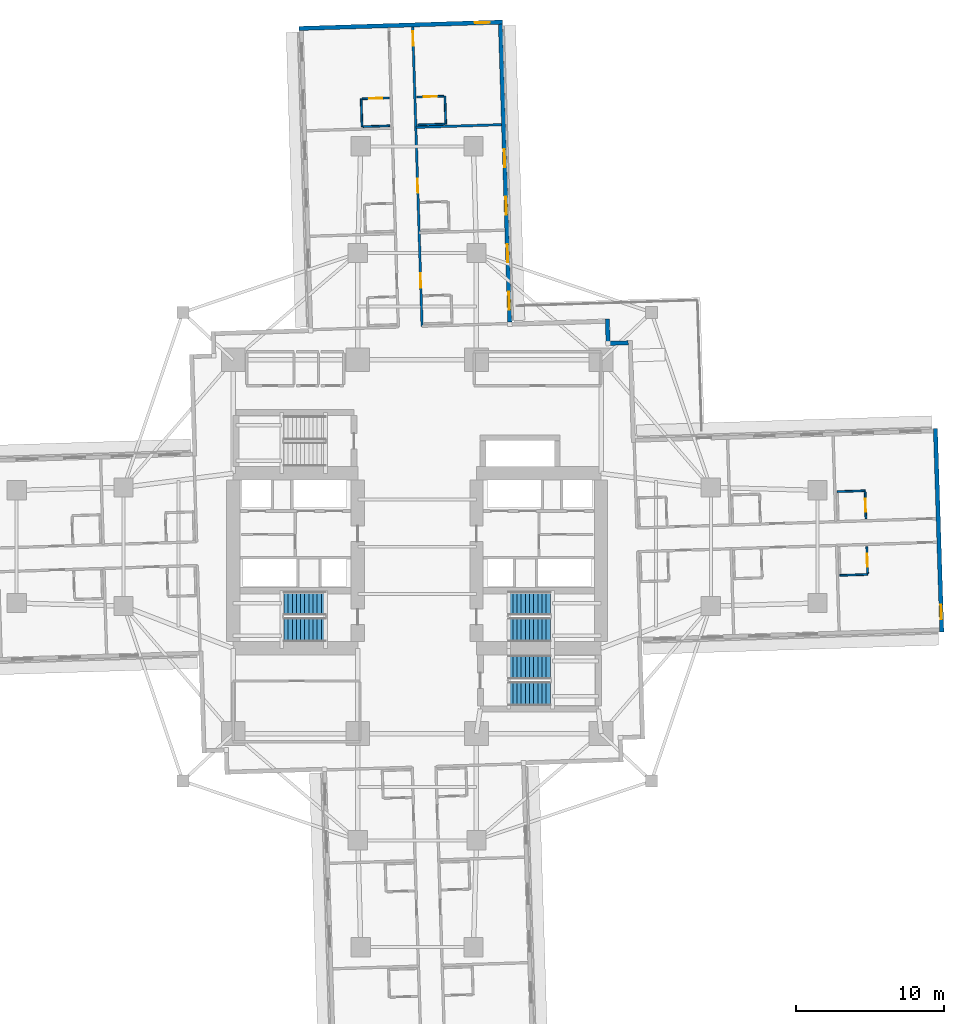
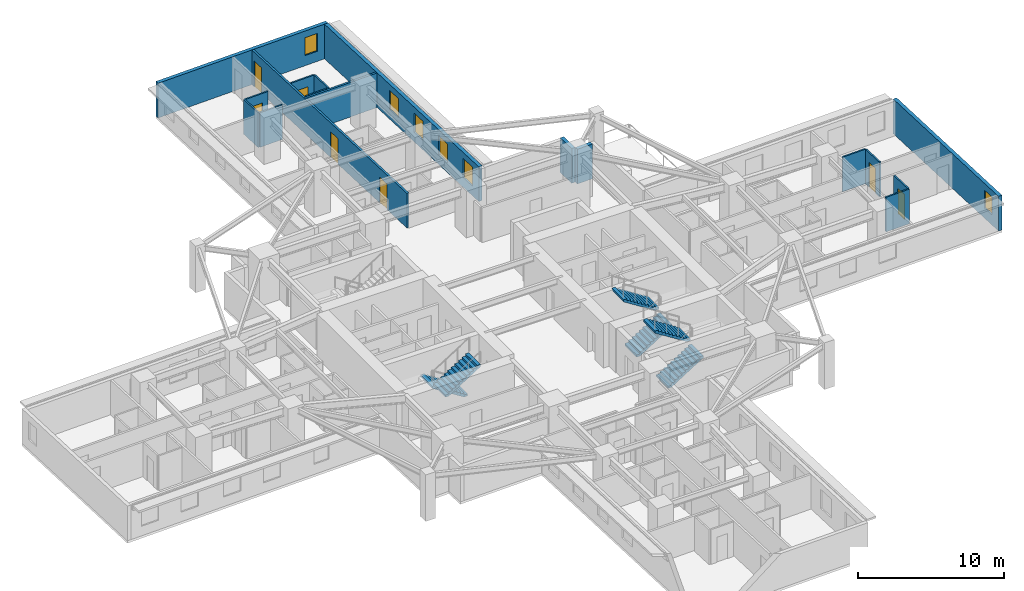
# One storey, part 9 of 15: 17 walls, 7 doors, 6 stair flights, 6 windows, 13 openings, 3 elements without a shape of their own.
"""IFC4 building model written with IfcOpenShell, lengths in metres."""

from ifc_helpers import new_model, si_unit, direction, frame, frame_2d, origin, place, context, subcontext, project, spatial, polyline, rectangle, outline, extrude, material, layer, layer_set, type_object, element, fill, aggregate, save


model = new_model("IFC4")

# Units and contexts
model_context = context("Model", 3, precision=1e-05, world=origin(), true_north=direction((0.0, 1.0)))
body_context = subcontext(model_context, "Body", "Model", "MODEL_VIEW")
ifc_project = project(units=[si_unit("LENGTHUNIT", "METRE"), si_unit("AREAUNIT", "SQUARE_METRE"), si_unit("VOLUMEUNIT", "CUBIC_METRE"), si_unit("PLANEANGLEUNIT", "RADIAN"), si_unit("MASSUNIT", "GRAM", prefix="KILO")], contexts=[model_context])

# Site, building, storey
site_placement = place(None, origin())
site = spatial("IfcSite", under=ifc_project, at=site_placement, CompositionType="ELEMENT")
building_placement = place(site_placement, origin())
building = spatial("IfcBuilding", under=site, at=building_placement, Name="Qingluan Cross Belvedere", CompositionType="ELEMENT")
storey_placement = place(building_placement, frame((0.0, 0.0, 31.5)))
storey = spatial("IfcBuildingStorey", under=building, at=storey_placement, Name="L08", CompositionType="ELEMENT", Elevation=31.5)

# Wall, openings, doors
ifc_material_1 = material(Name="Gypsum plasterboard on steel stud acoustic partition", Category="steel")
ifc_layer_1 = layer(ifc_material_1, 0.159912109375, Name="CorridorPartition_160")
ifc_layer_set_1 = layer_set([ifc_layer_1], Name="Gypsum plasterboard on steel stud acoustic partition")
wall_type_1 = type_object("IfcWallType", Name="CorridorPartition_160", PredefinedType="PARTITIONING", material=ifc_layer_set_1)
wall_1_placement = place(storey_placement, frame((0.333251953125, 14.867919921875, 0.0), z_axis=(0.0, 0.0, 1.0), x_axis=(-0.031416030536, 0.99950639469, 0.0)))
wall_1 = element("IfcWall", 1, at=wall_1_placement, inside=storey, type_object=wall_type_1, Name="Partition L08:N:c0", PredefinedType="PARTITIONING", context=body_context, shape_type="SweptSolid", body=[
    extrude(rectangle(XDim=20.181884765625, YDim=0.159912109375, at=frame_2d((10.0908203125, 0.0))), origin(), (0.0, 0.0, 1.0), 2.89990234375),
])
opening_1_placement = place(wall_1_placement, frame((2.610107421875, 0.0, 0.0)))
opening_1 = element("IfcOpeningElement", 2, at=opening_1_placement, cuts=wall_1, Name="Opening GD-10", PredefinedType="OPENING", context=body_context, shape_type="SweptSolid", body=[
    extrude(rectangle(XDim=0.9599609375, YDim=2.14990234375, at=frame_2d((0.47998046875, 1.074951171875))), frame((0.0, 0.08984375, 0.0), z_axis=(0.0, -1.0, 0.0), x_axis=(1.0, 0.0, 0.0)), (0.0, 0.0, 1.0), 0.179931640625),
])
opening_2_placement = place(wall_1_placement, frame((8.993896484375, 0.0, 0.0)))
opening_2 = element("IfcOpeningElement", 3, at=opening_2_placement, cuts=wall_1, Name="Opening GD-10", PredefinedType="OPENING", context=body_context, shape_type="SweptSolid", body=[
    extrude(rectangle(XDim=0.9599609375, YDim=2.14990234375, at=frame_2d((0.47998046875, 1.074951171875))), frame((0.0, 0.08984375, 0.0), z_axis=(0.0, -1.0, 0.0), x_axis=(1.0, 0.0, 0.0)), (0.0, 0.0, 1.0), 0.179931640625),
])
opening_3_placement = place(wall_1_placement, frame((18.929931640625, 0.0, 0.0)))
opening_3 = element("IfcOpeningElement", 4, at=opening_3_placement, cuts=wall_1, Name="Opening GD-10", PredefinedType="OPENING", context=body_context, shape_type="SweptSolid", body=[
    extrude(rectangle(XDim=0.9599609375, YDim=2.14990234375, at=frame_2d((0.47998046875, 1.074951171875))), frame((0.0, 0.08984375, 0.0), z_axis=(0.0, -1.0, 0.0), x_axis=(1.0, 0.0, 0.0)), (0.0, 0.0, 1.0), 0.179931640625),
])
ifc_material_2 = material(Name="Timber oak fire-rated acoustic guestroom door", Category="wood")
door_type_1 = type_object("IfcDoorType", Name="GuestEntryDoor_FD60", OperationType="NOTDEFINED", PredefinedType="DOOR", material=ifc_material_2)
door_1_placement = place(opening_1_placement, origin())
door_1 = element("IfcDoor", 5, at=door_1_placement, inside=storey, type_object=door_type_1, Name="Guest entry fire door 0813", OperationType="SINGLE_SWING_LEFT", OverallHeight=2.14990234375, OverallWidth=0.9599609375, PredefinedType="DOOR", context=body_context, shape_type="SweptSolid", body=[
    extrude(rectangle(XDim=0.9599609375, YDim=2.14990234375, at=frame_2d((0.47998046875, 1.074951171875))), frame((0.0, 0.02490234375, 0.0), z_axis=(0.0, -1.0, 0.0), x_axis=(1.0, 0.0, 0.0)), (0.0, 0.0, 1.0), 0.050048828125),
])
fill(opening_1, door_1)
door_2_placement = place(opening_2_placement, origin())
door_2 = element("IfcDoor", 6, at=door_2_placement, inside=storey, type_object=door_type_1, Name="Guest entry fire door 0814", OperationType="SINGLE_SWING_LEFT", OverallHeight=2.14990234375, OverallWidth=0.9599609375, PredefinedType="DOOR", context=body_context, shape_type="SweptSolid", body=[
    extrude(rectangle(XDim=0.9599609375, YDim=2.14990234375, at=frame_2d((0.47998046875, 1.074951171875))), frame((0.0, 0.02490234375, 0.0), z_axis=(0.0, -1.0, 0.0), x_axis=(1.0, 0.0, 0.0)), (0.0, 0.0, 1.0), 0.050048828125),
])
fill(opening_2, door_2)
door_3_placement = place(opening_3_placement, origin())
door_3 = element("IfcDoor", 7, at=door_3_placement, inside=storey, type_object=door_type_1, Name="Guest entry fire door 0815", OperationType="SINGLE_SWING_LEFT", OverallHeight=2.14990234375, OverallWidth=0.9599609375, PredefinedType="DOOR", context=body_context, shape_type="SweptSolid", body=[
    extrude(rectangle(XDim=0.9599609375, YDim=2.14990234375, at=frame_2d((0.47998046875, 1.074951171875))), frame((0.0, 0.02490234375, 0.0), z_axis=(0.0, -1.0, 0.0), x_axis=(1.0, 0.0, 0.0)), (0.0, 0.0, 1.0), 0.050048828125),
])
fill(opening_3, door_3)

# Wall
wall_2_placement = place(storey_placement, frame((-0.08837890625, 28.279296875, 0.0), z_axis=(0.0, 0.0, 1.0), x_axis=(0.999507402024, 0.031383965651, 0.0)))
element("IfcWall", 8, at=wall_2_placement, inside=storey, type_object=wall_type_1, Name="Partition L08:N:d0_1", PredefinedType="PARTITIONING", context=body_context, shape_type="SweptSolid", body=[
    extrude(rectangle(XDim=5.772216796875, YDim=0.159912109375, at=frame_2d((2.88623046875, 0.0))), origin(), (0.0, 0.0, 1.0), 2.89990234375),
])

# Wall, opening, door
ifc_material_3 = material(Name="Moisture-resistant gypsum board lining")
ifc_layer_2 = layer(ifc_material_3, 0.1201171875, Name="EnsuiteWetPartition_120")
ifc_layer_set_2 = layer_set([ifc_layer_2], Name="Moisture-resistant gypsum board lining")
wall_type_2 = type_object("IfcWallType", Name="EnsuiteWetPartition_120", PredefinedType="PARTITIONING", material=ifc_layer_set_2)
wall_3_placement = place(storey_placement, frame((30.263427734375, 1.8916015625, 0.0), z_axis=(0.0, 0.0, 1.0), x_axis=(-0.031389704724, 0.999507221803, 0.0)))
wall_3 = element("IfcWall", 9, at=wall_3_placement, inside=storey, type_object=wall_type_2, Name="Partition L08:E:bs0_2", PredefinedType="PARTITIONING", context=body_context, shape_type="SweptSolid", body=[
    extrude(rectangle(XDim=1.820068359375, YDim=0.1201171875, at=frame_2d((0.91015625, 0.0))), origin(), (0.0, 0.0, 1.0), 2.89990234375),
])
opening_4_placement = place(wall_3_placement, frame((0.469970703125, 0.0, 0.0)))
opening_4 = element("IfcOpeningElement", 10, at=opening_4_placement, cuts=wall_3, Name="Opening BD-09", PredefinedType="OPENING", context=body_context, shape_type="SweptSolid", body=[
    extrude(rectangle(XDim=0.8798828125, YDim=2.10009765625, at=frame_2d((0.43994140625, 1.050048828125))), frame((0.0, 0.070068359375, 0.0), z_axis=(0.0, -1.0, 0.0), x_axis=(1.0, 0.0, 0.0)), (0.0, 0.0, 1.0), 0.14013671875),
])
ifc_material_4 = material(Name="Moisture-sealed timber en-suite door", Category="wood")
door_type_2 = type_object("IfcDoorType", Name="BathroomDoor_880", OperationType="NOTDEFINED", PredefinedType="DOOR", material=ifc_material_4)
door_4_placement = place(opening_4_placement, origin())
door_4 = element("IfcDoor", 11, at=door_4_placement, inside=storey, type_object=door_type_2, Name="Bathroom door 0803", OperationType="SINGLE_SWING_RIGHT", OverallHeight=2.10009765625, OverallWidth=0.8798828125, PredefinedType="DOOR", context=body_context, shape_type="SweptSolid", body=[
    extrude(rectangle(XDim=0.8798828125, YDim=2.10009765625, at=frame_2d((0.43994140625, 1.050048828125))), frame((0.0, 0.02490234375, 0.0), z_axis=(0.0, -1.0, 0.0), x_axis=(1.0, 0.0, 0.0)), (0.0, 0.0, 1.0), 0.050048828125),
])
fill(opening_4, door_4)

# Wall
wall_4_placement = place(storey_placement, frame((28.3251953125, 3.716552734375, 0.0), z_axis=(0.0, 0.0, 1.0), x_axis=(0.999506103526, 0.031425292588, 0.0)))
element("IfcWall", 12, at=wall_4_placement, inside=storey, type_object=wall_type_2, Name="Partition L08:E:bn0_2", PredefinedType="PARTITIONING", context=body_context, shape_type="SweptSolid", body=[
    extrude(rectangle(XDim=1.880126953125, YDim=0.1201171875, at=frame_2d((0.93994140625, 0.0))), origin(), (0.0, 0.0, 1.0), 2.89990234375),
])

# Wall, opening, door
wall_5_placement = place(storey_placement, frame((30.379638671875, -1.806640625, 0.0), z_axis=(0.0, 0.0, 1.0), x_axis=(-0.031389704724, 0.999507221803, 0.0)))
wall_5 = element("IfcWall", 13, at=wall_5_placement, inside=storey, type_object=wall_type_2, Name="Partition L08:E:bs1_2", PredefinedType="PARTITIONING", context=body_context, shape_type="SweptSolid", body=[
    extrude(rectangle(XDim=1.820068359375, YDim=0.1201171875, at=frame_2d((0.91015625, 0.0))), origin(), (0.0, 0.0, 1.0), 2.89990234375),
])
opening_5_placement = place(wall_5_placement, frame((0.469970703125, 0.0, 0.0)))
opening_5 = element("IfcOpeningElement", 14, at=opening_5_placement, cuts=wall_5, Name="Opening BD-09", PredefinedType="OPENING", context=body_context, shape_type="SweptSolid", body=[
    extrude(rectangle(XDim=0.8798828125, YDim=2.10009765625, at=frame_2d((0.43994140625, 1.050048828125))), frame((0.0, 0.070068359375, 0.0), z_axis=(0.0, -1.0, 0.0), x_axis=(1.0, 0.0, 0.0)), (0.0, 0.0, 1.0), 0.14013671875),
])
door_5_placement = place(opening_5_placement, origin())
door_5 = element("IfcDoor", 15, at=door_5_placement, inside=storey, type_object=door_type_2, Name="Bathroom door 0806", OperationType="SINGLE_SWING_RIGHT", OverallHeight=2.10009765625, OverallWidth=0.8798828125, PredefinedType="DOOR", context=body_context, shape_type="SweptSolid", body=[
    extrude(rectangle(XDim=0.8798828125, YDim=2.10009765625, at=frame_2d((0.43994140625, 1.050048828125))), frame((0.0, 0.02490234375, 0.0), z_axis=(0.0, -1.0, 0.0), x_axis=(1.0, 0.0, 0.0)), (0.0, 0.0, 1.0), 0.050048828125),
])
fill(opening_5, door_5)

# Wall
wall_6_placement = place(storey_placement, frame((28.502685546875, -1.9306640625, 0.0), z_axis=(0.0, 0.0, 1.0), x_axis=(0.999506103526, 0.031425292588, 0.0)))
element("IfcWall", 16, at=wall_6_placement, inside=storey, type_object=wall_type_2, Name="Partition L08:E:bc1_2", PredefinedType="PARTITIONING", context=body_context, shape_type="SweptSolid", body=[
    extrude(rectangle(XDim=1.880126953125, YDim=0.1201171875, at=frame_2d((0.93994140625, 0.0))), origin(), (0.0, 0.0, 1.0), 2.89990234375),
])

# Wall, opening, door
wall_7_placement = place(storey_placement, frame((-0.012451171875, 30.322509765625, 0.0), z_axis=(0.0, 0.0, 1.0), x_axis=(0.999507221803, 0.031389704724, 0.0)))
wall_7 = element("IfcWall", 17, at=wall_7_placement, inside=storey, type_object=wall_type_2, Name="Partition L08:N:bs0_2", PredefinedType="PARTITIONING", context=body_context, shape_type="SweptSolid", body=[
    extrude(rectangle(XDim=1.820068359375, YDim=0.1201171875, at=frame_2d((0.91015625, 0.0))), origin(), (0.0, 0.0, 1.0), 2.89990234375),
])
opening_6_placement = place(wall_7_placement, frame((0.469970703125, 0.0, 0.0)))
opening_6 = element("IfcOpeningElement", 18, at=opening_6_placement, cuts=wall_7, Name="Opening BD-09", PredefinedType="OPENING", context=body_context, shape_type="SweptSolid", body=[
    extrude(rectangle(XDim=0.8798828125, YDim=2.10009765625, at=frame_2d((0.43994140625, 1.050048828125))), frame((0.0, 0.070068359375, 0.0), z_axis=(0.0, -1.0, 0.0), x_axis=(1.0, 0.0, 0.0)), (0.0, 0.0, 1.0), 0.14013671875),
])
door_6_placement = place(opening_6_placement, origin())
door_6 = element("IfcDoor", 19, at=door_6_placement, inside=storey, type_object=door_type_2, Name="Bathroom door 0815", OperationType="SINGLE_SWING_RIGHT", OverallHeight=2.10009765625, OverallWidth=0.8798828125, PredefinedType="DOOR", context=body_context, shape_type="SweptSolid", body=[
    extrude(rectangle(XDim=0.8798828125, YDim=2.10009765625, at=frame_2d((0.43994140625, 1.050048828125))), frame((0.0, 0.02490234375, 0.0), z_axis=(0.0, -1.0, 0.0), x_axis=(1.0, 0.0, 0.0)), (0.0, 0.0, 1.0), 0.050048828125),
])
fill(opening_6, door_6)

# Walls
wall_8_placement = place(storey_placement, frame((0.046630859375, 28.443603515625, 0.0), z_axis=(0.0, 0.0, 1.0), x_axis=(0.999507221803, 0.031389704724, 0.0)))
element("IfcWall", 20, at=wall_8_placement, inside=storey, type_object=wall_type_2, Name="Partition L08:N:bw0_2", PredefinedType="PARTITIONING", context=body_context, shape_type="SweptSolid", body=[
    extrude(rectangle(XDim=1.820068359375, YDim=0.1201171875, at=frame_2d((0.91015625, 0.0))), origin(), (0.0, 0.0, 1.0), 2.89990234375),
])
wall_9_placement = place(storey_placement, frame((1.9306640625, 28.502685546875, 0.0), z_axis=(0.0, 0.0, 1.0), x_axis=(-0.031425292588, 0.999506103526, 0.0)))
element("IfcWall", 21, at=wall_9_placement, inside=storey, type_object=wall_type_2, Name="Partition L08:N:bn0_2", PredefinedType="PARTITIONING", context=body_context, shape_type="SweptSolid", body=[
    extrude(rectangle(XDim=1.880126953125, YDim=0.1201171875, at=frame_2d((0.93994140625, 0.0))), origin(), (0.0, 0.0, 1.0), 2.89990234375),
])

# Wall, opening, door
wall_10_placement = place(storey_placement, frame((-3.710693359375, 30.206298828125, 0.0), z_axis=(0.0, 0.0, 1.0), x_axis=(0.999507221803, 0.031389704724, 0.0)))
wall_10 = element("IfcWall", 22, at=wall_10_placement, inside=storey, type_object=wall_type_2, Name="Partition L08:N:bs1_2", PredefinedType="PARTITIONING", context=body_context, shape_type="SweptSolid", body=[
    extrude(rectangle(XDim=1.820068359375, YDim=0.1201171875, at=frame_2d((0.91015625, 0.0))), origin(), (0.0, 0.0, 1.0), 2.89990234375),
])
opening_7_placement = place(wall_10_placement, frame((0.469970703125, 0.0, 0.0)))
opening_7 = element("IfcOpeningElement", 23, at=opening_7_placement, cuts=wall_10, Name="Opening BD-09", PredefinedType="OPENING", context=body_context, shape_type="SweptSolid", body=[
    extrude(rectangle(XDim=0.8798828125, YDim=2.10009765625, at=frame_2d((0.43994140625, 1.050048828125))), frame((0.0, 0.070068359375, 0.0), z_axis=(0.0, -1.0, 0.0), x_axis=(1.0, 0.0, 0.0)), (0.0, 0.0, 1.0), 0.14013671875),
])
door_7_placement = place(opening_7_placement, origin())
door_7 = element("IfcDoor", 24, at=door_7_placement, inside=storey, type_object=door_type_2, Name="Bathroom door 0818", OperationType="SINGLE_SWING_RIGHT", OverallHeight=2.10009765625, OverallWidth=0.8798828125, PredefinedType="DOOR", context=body_context, shape_type="SweptSolid", body=[
    extrude(rectangle(XDim=0.8798828125, YDim=2.10009765625, at=frame_2d((0.43994140625, 1.050048828125))), frame((0.0, 0.02490234375, 0.0), z_axis=(0.0, -1.0, 0.0), x_axis=(1.0, 0.0, 0.0)), (0.0, 0.0, 1.0), 0.050048828125),
])
fill(opening_7, door_7)

# Walls
wall_11_placement = place(storey_placement, frame((-3.651611328125, 28.327392578125, 0.0), z_axis=(0.0, 0.0, 1.0), x_axis=(0.999507221803, 0.031389704724, 0.0)))
element("IfcWall", 25, at=wall_11_placement, inside=storey, type_object=wall_type_2, Name="Partition L08:N:bw1_2", PredefinedType="PARTITIONING", context=body_context, shape_type="SweptSolid", body=[
    extrude(rectangle(XDim=1.820068359375, YDim=0.1201171875, at=frame_2d((0.91015625, 0.0))), origin(), (0.0, 0.0, 1.0), 2.89990234375),
])
wall_12_placement = place(storey_placement, frame((-3.716552734375, 28.3251953125, 0.0), z_axis=(0.0, 0.0, 1.0), x_axis=(-0.031425292588, 0.999506103526, 0.0)))
element("IfcWall", 26, at=wall_12_placement, inside=storey, type_object=wall_type_2, Name="Partition L08:N:bc1_2", PredefinedType="PARTITIONING", context=body_context, shape_type="SweptSolid", body=[
    extrude(rectangle(XDim=1.880126953125, YDim=0.1201171875, at=frame_2d((0.93994140625, 0.0))), origin(), (0.0, 0.0, 1.0), 2.89990234375),
])

# Wall, opening, window
ifc_material_5 = material(Name="Precast concrete C45", Category="concrete")
ifc_layer_3 = layer(ifc_material_5, 0.280029296875, Name="PrecastFacadeWall_280")
ifc_layer_set_3 = layer_set([ifc_layer_3], Name="Precast concrete C45")
wall_type_3 = type_object("IfcWallType", Name="PrecastFacadeWall_280", PredefinedType="STANDARD", material=ifc_layer_set_3)
wall_13_placement = place(storey_placement, frame((35.378173828125, -5.751708984375, 0.0), z_axis=(0.0, 0.0, 1.0), x_axis=(-0.031406966164, 0.999506679556, 0.0)))
wall_13 = element("IfcWall", 27, at=wall_13_placement, inside=storey, type_object=wall_type_3, Name="Arm tip precast facade wall L08-E", PredefinedType="STANDARD", context=body_context, shape_type="SweptSolid", body=[
    extrude(rectangle(XDim=13.72021484375, YDim=0.280029296875, at=frame_2d((6.860107421875, 0.0))), origin(), (0.0, 0.0, 1.0), 2.909912109375),
])
opening_8_placement = place(wall_13_placement, frame((0.85009765625, 0.0, 0.85009765625)))
opening_8 = element("IfcOpeningElement", 28, at=opening_8_placement, cuts=wall_13, Name="Opening W-03", PredefinedType="OPENING", context=body_context, shape_type="SweptSolid", body=[
    extrude(rectangle(XDim=1.0, YDim=1.5, at=frame_2d((0.5, 0.75))), frame((0.0, 0.14990234375, 0.0), z_axis=(0.0, -1.0, 0.0), x_axis=(1.0, 0.0, 0.0)), (0.0, 0.0, 1.0), 0.300048828125),
])
ifc_material_6 = material(Name="Thermally broken triple Low-E glass in aluminium frame", Category="aluminium")
window_type_1 = type_object("IfcWindowType", Name="TriApexWin_1000x1500", PartitioningType="SINGLE_PANEL", PredefinedType="WINDOW", material=ifc_material_6)
window_1_placement = place(opening_8_placement, origin())
window_1 = element("IfcWindow", 29, at=window_1_placement, inside=storey, type_object=window_type_1, Name="Arm tip triangular window L08-E", OverallHeight=1.5, OverallWidth=1.0, PartitioningType="SINGLE_PANEL", PredefinedType="WINDOW", context=body_context, shape_type="SweptSolid", body=[
    extrude(rectangle(XDim=1.0, YDim=1.5, at=frame_2d((0.5, 0.75))), frame((0.0, 0.030029296875, 0.0), z_axis=(0.0, -1.0, 0.0), x_axis=(1.0, 0.0, 0.0)), (0.0, 0.0, 1.0), 0.06005859375),
])
fill(opening_8, window_1)

# Wall, openings, windows
wall_14_placement = place(storey_placement, frame((6.247314453125, 15.143798828125, 0.0), z_axis=(0.0, 0.0, 1.0), x_axis=(-0.031398187845, 0.999506955354, 0.0)))
wall_14 = element("IfcWall", 30, at=wall_14_placement, inside=storey, type_object=wall_type_3, Name="Facade wall L08-NA", PredefinedType="STANDARD", context=body_context, shape_type="SweptSolid", body=[
    extrude(rectangle(XDim=20.10009765625, YDim=0.280029296875, at=frame_2d((10.050048828125, 0.0))), origin(), (0.0, 0.0, 1.0), 2.909912109375),
])
opening_9_placement = place(wall_14_placement, frame((0.85009765625, 0.0, 0.800048828125)))
opening_9 = element("IfcOpeningElement", 31, at=opening_9_placement, cuts=wall_14, Name="Opening W-02", PredefinedType="OPENING", context=body_context, shape_type="SweptSolid", body=[
    extrude(rectangle(XDim=1.199951171875, YDim=1.60009765625, at=frame_2d((0.60009765625, 0.800048828125))), frame((0.0, 0.14990234375, 0.0), z_axis=(0.0, -1.0, 0.0), x_axis=(1.0, 0.0, 0.0)), (0.0, 0.0, 1.0), 0.300048828125),
])
opening_10_placement = place(wall_14_placement, frame((4.050048828125, 0.0, 0.800048828125)))
opening_10 = element("IfcOpeningElement", 32, at=opening_10_placement, cuts=wall_14, Name="Opening W-02", PredefinedType="OPENING", context=body_context, shape_type="SweptSolid", body=[
    extrude(rectangle(XDim=1.199951171875, YDim=1.60009765625, at=frame_2d((0.60009765625, 0.800048828125))), frame((0.0, 0.14990234375, 0.0), z_axis=(0.0, -1.0, 0.0), x_axis=(1.0, 0.0, 0.0)), (0.0, 0.0, 1.0), 0.300048828125),
])
opening_11_placement = place(wall_14_placement, frame((7.25, 0.0, 0.800048828125)))
opening_11 = element("IfcOpeningElement", 33, at=opening_11_placement, cuts=wall_14, Name="Opening W-02", PredefinedType="OPENING", context=body_context, shape_type="SweptSolid", body=[
    extrude(rectangle(XDim=1.199951171875, YDim=1.60009765625, at=frame_2d((0.60009765625, 0.800048828125))), frame((0.0, 0.14990234375, 0.0), z_axis=(0.0, -1.0, 0.0), x_axis=(1.0, 0.0, 0.0)), (0.0, 0.0, 1.0), 0.300048828125),
])
opening_12_placement = place(wall_14_placement, frame((10.449951171875, 0.0, 0.800048828125)))
opening_12 = element("IfcOpeningElement", 34, at=opening_12_placement, cuts=wall_14, Name="Opening W-02", PredefinedType="OPENING", context=body_context, shape_type="SweptSolid", body=[
    extrude(rectangle(XDim=1.199951171875, YDim=1.60009765625, at=frame_2d((0.60009765625, 0.800048828125))), frame((0.0, 0.14990234375, 0.0), z_axis=(0.0, -1.0, 0.0), x_axis=(1.0, 0.0, 0.0)), (0.0, 0.0, 1.0), 0.300048828125),
])
ifc_material_7 = material(Name="Thermally broken triple Low-E glass in aluminium frame", Category="aluminium")
window_type_2 = type_object("IfcWindowType", Name="TriRibbonWin_1200x1600", PartitioningType="SINGLE_PANEL", PredefinedType="WINDOW", material=ifc_material_7)
window_2_placement = place(opening_9_placement, origin())
window_2 = element("IfcWindow", 35, at=window_2_placement, inside=storey, type_object=window_type_2, Name="Ribbon window L08-NA-1", OverallHeight=1.60009765625, OverallWidth=1.199951171875, PartitioningType="SINGLE_PANEL", PredefinedType="WINDOW", context=body_context, shape_type="SweptSolid", body=[
    extrude(rectangle(XDim=1.199951171875, YDim=1.60009765625, at=frame_2d((0.60009765625, 0.800048828125))), frame((0.0, 0.030029296875, 0.0), z_axis=(0.0, -1.0, 0.0), x_axis=(1.0, 0.0, 0.0)), (0.0, 0.0, 1.0), 0.06005859375),
])
fill(opening_9, window_2)
window_3_placement = place(opening_10_placement, origin())
window_3 = element("IfcWindow", 36, at=window_3_placement, inside=storey, type_object=window_type_2, Name="Ribbon window L08-NA-2", OverallHeight=1.60009765625, OverallWidth=1.199951171875, PartitioningType="SINGLE_PANEL", PredefinedType="WINDOW", context=body_context, shape_type="SweptSolid", body=[
    extrude(rectangle(XDim=1.199951171875, YDim=1.60009765625, at=frame_2d((0.60009765625, 0.800048828125))), frame((0.0, 0.030029296875, 0.0), z_axis=(0.0, -1.0, 0.0), x_axis=(1.0, 0.0, 0.0)), (0.0, 0.0, 1.0), 0.06005859375),
])
fill(opening_10, window_3)
window_4_placement = place(opening_11_placement, origin())
window_4 = element("IfcWindow", 37, at=window_4_placement, inside=storey, type_object=window_type_2, Name="Ribbon window L08-NA-3", OverallHeight=1.60009765625, OverallWidth=1.199951171875, PartitioningType="SINGLE_PANEL", PredefinedType="WINDOW", context=body_context, shape_type="SweptSolid", body=[
    extrude(rectangle(XDim=1.199951171875, YDim=1.60009765625, at=frame_2d((0.60009765625, 0.800048828125))), frame((0.0, 0.030029296875, 0.0), z_axis=(0.0, -1.0, 0.0), x_axis=(1.0, 0.0, 0.0)), (0.0, 0.0, 1.0), 0.06005859375),
])
fill(opening_11, window_4)
window_5_placement = place(opening_12_placement, origin())
window_5 = element("IfcWindow", 38, at=window_5_placement, inside=storey, type_object=window_type_2, Name="Ribbon window L08-NA-4", OverallHeight=1.60009765625, OverallWidth=1.199951171875, PartitioningType="SINGLE_PANEL", PredefinedType="WINDOW", context=body_context, shape_type="SweptSolid", body=[
    extrude(rectangle(XDim=1.199951171875, YDim=1.60009765625, at=frame_2d((0.60009765625, 0.800048828125))), frame((0.0, 0.030029296875, 0.0), z_axis=(0.0, -1.0, 0.0), x_axis=(1.0, 0.0, 0.0)), (0.0, 0.0, 1.0), 0.06005859375),
])
fill(opening_12, window_5)

# Wall, opening, window
wall_15_placement = place(storey_placement, frame((5.751708984375, 35.378173828125, 0.0), z_axis=(0.0, 0.0, 1.0), x_axis=(-0.999506679556, -0.031406966164, 0.0)))
wall_15 = element("IfcWall", 39, at=wall_15_placement, inside=storey, type_object=wall_type_3, Name="Arm tip precast facade wall L08-N", PredefinedType="STANDARD", context=body_context, shape_type="SweptSolid", body=[
    extrude(rectangle(XDim=13.72021484375, YDim=0.280029296875, at=frame_2d((6.860107421875, 0.0))), origin(), (0.0, 0.0, 1.0), 2.909912109375),
])
opening_13_placement = place(wall_15_placement, frame((0.85009765625, 0.0, 0.85009765625)))
opening_13 = element("IfcOpeningElement", 40, at=opening_13_placement, cuts=wall_15, Name="Opening W-03", PredefinedType="OPENING", context=body_context, shape_type="SweptSolid", body=[
    extrude(rectangle(XDim=1.0, YDim=1.5, at=frame_2d((0.5, 0.75))), frame((0.0, 0.14990234375, 0.0), z_axis=(0.0, -1.0, 0.0), x_axis=(1.0, 0.0, 0.0)), (0.0, 0.0, 1.0), 0.300048828125),
])
window_6_placement = place(opening_13_placement, origin())
window_6 = element("IfcWindow", 41, at=window_6_placement, inside=storey, type_object=window_type_1, Name="Arm tip triangular window L08-N", OverallHeight=1.5, OverallWidth=1.0, PartitioningType="SINGLE_PANEL", PredefinedType="WINDOW", context=body_context, shape_type="SweptSolid", body=[
    extrude(rectangle(XDim=1.0, YDim=1.5, at=frame_2d((0.5, 0.75))), frame((0.0, 0.030029296875, 0.0), z_axis=(0.0, -1.0, 0.0), x_axis=(1.0, 0.0, 0.0)), (0.0, 0.0, 1.0), 0.06005859375),
])
fill(opening_13, window_6)

# Walls
wall_16_placement = place(storey_placement, frame((14.235107421875, 13.75390625, 0.0), z_axis=(0.0, 0.0, 1.0), x_axis=(-0.999506398264, -0.031415916822, 0.0)))
element("IfcWall", 42, at=wall_16_placement, inside=storey, type_object=wall_type_3, Name="Corner wall L08-NE2", PredefinedType="STANDARD", context=body_context, shape_type="SweptSolid", body=[
    extrude(rectangle(XDim=1.219970703125, YDim=0.280029296875, at=frame_2d((0.60986328125, 0.0))), origin(), (0.0, 0.0, 1.0), 2.909912109375),
])
wall_17_placement = place(storey_placement, frame((12.871337890625, 13.85107421875, 0.0), z_axis=(0.0, 0.0, 1.0), x_axis=(-0.031412596484, 0.999506502621, 0.0)))
element("IfcWall", 43, at=wall_17_placement, inside=storey, type_object=wall_type_3, Name="Corner wall L08-NE3", PredefinedType="STANDARD", context=body_context, shape_type="SweptSolid", body=[
    extrude(rectangle(XDim=1.5, YDim=0.280029296875, at=frame_2d((0.75, 0.0))), origin(), (0.0, 0.0, 1.0), 2.909912109375),
])

# Stair, stair flights
ifc_material_8 = material(Name="Concrete C40", Category="concrete")
stair_type = type_object("IfcStairType", Name="CoreDoglegStair_1620", PredefinedType="HALF_TURN_STAIR", material=ifc_material_8)
stair_1_placement = place(storey_placement, origin())
stair_1 = element("IfcStair", 44, at=stair_1_placement, inside=storey, type_object=stair_type, Name="L08 ST1", PredefinedType="HALF_TURN_STAIR")
ifc_material_9 = material(Name="Concrete C40", Category="concrete")
ifc_layer_4 = layer(ifc_material_9, 0.179931640625, Name="StairFlight_RC180")
ifc_layer_set_4 = layer_set([ifc_layer_4], Name="Concrete C40")
stair_flight_type = type_object("IfcStairFlightType", Name="StairFlight_RC180", PredefinedType="STRAIGHT", material=ifc_layer_set_4)
stair_flight_1_placement = place(storey_placement, frame((-6.179931640625, -3.81005859375, 0.0), z_axis=(0.0, 0.0, 1.0), x_axis=(-1.0, 0.0, 0.0)))
stair_flight_1 = element("IfcStairFlight", 45, at=stair_flight_1_placement, type_object=stair_flight_type, Name="ST1 flight 1", NumberOfRisers=11, NumberOfTreads=10, PredefinedType="STRAIGHT", RiserHeight=0.177272727, TreadLength=0.28, context=body_context, shape_type="SweptSolid", body=[
    extrude(outline(polyline([(0.0, 0.0), (0.0, 0.17724609375), (0.280029296875, 0.17724609375), (0.280029296875, 0.3544921875), (0.56005859375, 0.3544921875), (0.56005859375, 0.53173828125), (0.840087890625, 0.53173828125), (0.840087890625, 0.708984375), (1.1201171875, 0.708984375), (1.1201171875, 0.886474609375), (1.39990234375, 0.886474609375), (1.39990234375, 1.063720703125), (1.679931640625, 1.063720703125), (1.679931640625, 1.240966796875), (1.9599609375, 1.240966796875), (1.9599609375, 1.418212890625), (2.239990234375, 1.418212890625), (2.239990234375, 1.595458984375), (2.52001953125, 1.595458984375), (2.52001953125, 1.772705078125), (2.800048828125, 1.772705078125), (2.800048828125, 1.949951171875), (2.800048828125, 1.59521484375), (0.2802734375, 0.0), (0.0, 0.0)])), frame((0.0, 0.81005859375, 0.0), z_axis=(0.0, -1.0, 0.0), x_axis=(1.0, 0.0, 0.0)), (0.0, 0.0, 1.0), 1.6201171875),
])
stair_flight_2_placement = place(storey_placement, frame((-8.97998046875, -5.590087890625, 1.949951171875), z_axis=(0.0, 0.0, 1.0), x_axis=(1.0, 0.0, 0.0)))
stair_flight_2 = element("IfcStairFlight", 46, at=stair_flight_2_placement, type_object=stair_flight_type, Name="ST1 flight 2", NumberOfRisers=11, NumberOfTreads=10, PredefinedType="STRAIGHT", RiserHeight=0.177272727, TreadLength=0.28, context=body_context, shape_type="SweptSolid", body=[
    extrude(outline(polyline([(0.0, 0.0), (0.0, 0.17724609375), (0.280029296875, 0.17724609375), (0.280029296875, 0.3544921875), (0.56005859375, 0.3544921875), (0.56005859375, 0.53173828125), (0.840087890625, 0.53173828125), (0.840087890625, 0.708984375), (1.1201171875, 0.708984375), (1.1201171875, 0.886474609375), (1.39990234375, 0.886474609375), (1.39990234375, 1.063720703125), (1.679931640625, 1.063720703125), (1.679931640625, 1.240966796875), (1.9599609375, 1.240966796875), (1.9599609375, 1.418212890625), (2.239990234375, 1.418212890625), (2.239990234375, 1.595458984375), (2.52001953125, 1.595458984375), (2.52001953125, 1.772705078125), (2.800048828125, 1.772705078125), (2.800048828125, 1.949951171875), (2.800048828125, 1.59521484375), (0.2802734375, 0.0), (0.0, 0.0)])), frame((0.0, 0.81005859375, 0.0), z_axis=(0.0, -1.0, 0.0), x_axis=(1.0, 0.0, 0.0)), (0.0, 0.0, 1.0), 1.6201171875),
])
aggregate(stair_1, [stair_flight_1, stair_flight_2])

stair_2_placement = place(storey_placement, origin())
stair_2 = element("IfcStair", 47, at=stair_2_placement, inside=storey, type_object=stair_type, Name="L08 ST2", PredefinedType="HALF_TURN_STAIR")
stair_flight_3_placement = place(storey_placement, frame((6.179931640625, -5.590087890625, 0.0), z_axis=(0.0, 0.0, 1.0), x_axis=(1.0, 0.0, 0.0)))
stair_flight_3 = element("IfcStairFlight", 48, at=stair_flight_3_placement, type_object=stair_flight_type, Name="ST2 flight 1", NumberOfRisers=11, NumberOfTreads=10, PredefinedType="STRAIGHT", RiserHeight=0.177272727, TreadLength=0.28, context=body_context, shape_type="SweptSolid", body=[
    extrude(outline(polyline([(0.0, 0.0), (0.0, 0.17724609375), (0.280029296875, 0.17724609375), (0.280029296875, 0.3544921875), (0.56005859375, 0.3544921875), (0.56005859375, 0.53173828125), (0.840087890625, 0.53173828125), (0.840087890625, 0.708984375), (1.1201171875, 0.708984375), (1.1201171875, 0.886474609375), (1.39990234375, 0.886474609375), (1.39990234375, 1.063720703125), (1.679931640625, 1.063720703125), (1.679931640625, 1.240966796875), (1.9599609375, 1.240966796875), (1.9599609375, 1.418212890625), (2.239990234375, 1.418212890625), (2.239990234375, 1.595458984375), (2.52001953125, 1.595458984375), (2.52001953125, 1.772705078125), (2.800048828125, 1.772705078125), (2.800048828125, 1.949951171875), (2.800048828125, 1.59521484375), (0.2802734375, 0.0), (0.0, 0.0)])), frame((0.0, 0.81005859375, 0.0), z_axis=(0.0, -1.0, 0.0), x_axis=(1.0, 0.0, 0.0)), (0.0, 0.0, 1.0), 1.6201171875),
])
stair_flight_4_placement = place(storey_placement, frame((8.97998046875, -3.81005859375, 1.949951171875), z_axis=(0.0, 0.0, 1.0), x_axis=(-1.0, 0.0, 0.0)))
stair_flight_4 = element("IfcStairFlight", 49, at=stair_flight_4_placement, type_object=stair_flight_type, Name="ST2 flight 2", NumberOfRisers=11, NumberOfTreads=10, PredefinedType="STRAIGHT", RiserHeight=0.177272727, TreadLength=0.28, context=body_context, shape_type="SweptSolid", body=[
    extrude(outline(polyline([(0.0, 0.0), (0.0, 0.17724609375), (0.280029296875, 0.17724609375), (0.280029296875, 0.3544921875), (0.56005859375, 0.3544921875), (0.56005859375, 0.53173828125), (0.840087890625, 0.53173828125), (0.840087890625, 0.708984375), (1.1201171875, 0.708984375), (1.1201171875, 0.886474609375), (1.39990234375, 0.886474609375), (1.39990234375, 1.063720703125), (1.679931640625, 1.063720703125), (1.679931640625, 1.240966796875), (1.9599609375, 1.240966796875), (1.9599609375, 1.418212890625), (2.239990234375, 1.418212890625), (2.239990234375, 1.595458984375), (2.52001953125, 1.595458984375), (2.52001953125, 1.772705078125), (2.800048828125, 1.772705078125), (2.800048828125, 1.949951171875), (2.800048828125, 1.59521484375), (0.2802734375, 0.0), (0.0, 0.0)])), frame((0.0, 0.81005859375, 0.0), z_axis=(0.0, -1.0, 0.0), x_axis=(1.0, 0.0, 0.0)), (0.0, 0.0, 1.0), 1.6201171875),
])
aggregate(stair_2, [stair_flight_3, stair_flight_4])

stair_3_placement = place(storey_placement, origin())
stair_3 = element("IfcStair", 50, at=stair_3_placement, inside=storey, type_object=stair_type, Name="L08 ST4", PredefinedType="HALF_TURN_STAIR")
stair_flight_5_placement = place(storey_placement, frame((6.179931640625, -9.909912109375, 0.0), z_axis=(0.0, 0.0, 1.0), x_axis=(1.0, 0.0, 0.0)))
stair_flight_5 = element("IfcStairFlight", 51, at=stair_flight_5_placement, type_object=stair_flight_type, Name="ST4 flight 1", NumberOfRisers=11, NumberOfTreads=10, PredefinedType="STRAIGHT", RiserHeight=0.177272727, TreadLength=0.28, context=body_context, shape_type="SweptSolid", body=[
    extrude(outline(polyline([(0.0, 0.0), (0.0, 0.17724609375), (0.280029296875, 0.17724609375), (0.280029296875, 0.3544921875), (0.56005859375, 0.3544921875), (0.56005859375, 0.53173828125), (0.840087890625, 0.53173828125), (0.840087890625, 0.708984375), (1.1201171875, 0.708984375), (1.1201171875, 0.886474609375), (1.39990234375, 0.886474609375), (1.39990234375, 1.063720703125), (1.679931640625, 1.063720703125), (1.679931640625, 1.240966796875), (1.9599609375, 1.240966796875), (1.9599609375, 1.418212890625), (2.239990234375, 1.418212890625), (2.239990234375, 1.595458984375), (2.52001953125, 1.595458984375), (2.52001953125, 1.772705078125), (2.800048828125, 1.772705078125), (2.800048828125, 1.949951171875), (2.800048828125, 1.59521484375), (0.2802734375, 0.0), (0.0, 0.0)])), frame((0.0, 0.81005859375, 0.0), z_axis=(0.0, -1.0, 0.0), x_axis=(1.0, 0.0, 0.0)), (0.0, 0.0, 1.0), 1.6201171875),
])
stair_flight_6_placement = place(storey_placement, frame((8.97998046875, -8.1298828125, 1.949951171875), z_axis=(0.0, 0.0, 1.0), x_axis=(-1.0, 0.0, 0.0)))
stair_flight_6 = element("IfcStairFlight", 52, at=stair_flight_6_placement, type_object=stair_flight_type, Name="ST4 flight 2", NumberOfRisers=11, NumberOfTreads=10, PredefinedType="STRAIGHT", RiserHeight=0.177272727, TreadLength=0.28, context=body_context, shape_type="SweptSolid", body=[
    extrude(outline(polyline([(0.0, 0.0), (0.0, 0.17724609375), (0.280029296875, 0.17724609375), (0.280029296875, 0.3544921875), (0.56005859375, 0.3544921875), (0.56005859375, 0.53173828125), (0.840087890625, 0.53173828125), (0.840087890625, 0.708984375), (1.1201171875, 0.708984375), (1.1201171875, 0.886474609375), (1.39990234375, 0.886474609375), (1.39990234375, 1.063720703125), (1.679931640625, 1.063720703125), (1.679931640625, 1.240966796875), (1.9599609375, 1.240966796875), (1.9599609375, 1.418212890625), (2.239990234375, 1.418212890625), (2.239990234375, 1.595458984375), (2.52001953125, 1.595458984375), (2.52001953125, 1.772705078125), (2.800048828125, 1.772705078125), (2.800048828125, 1.949951171875), (2.800048828125, 1.59521484375), (0.2802734375, 0.0), (0.0, 0.0)])), frame((0.0, 0.81005859375, 0.0), z_axis=(0.0, -1.0, 0.0), x_axis=(1.0, 0.0, 0.0)), (0.0, 0.0, 1.0), 1.6201171875),
])
aggregate(stair_3, [stair_flight_5, stair_flight_6])

save(model, "model.ifc")
